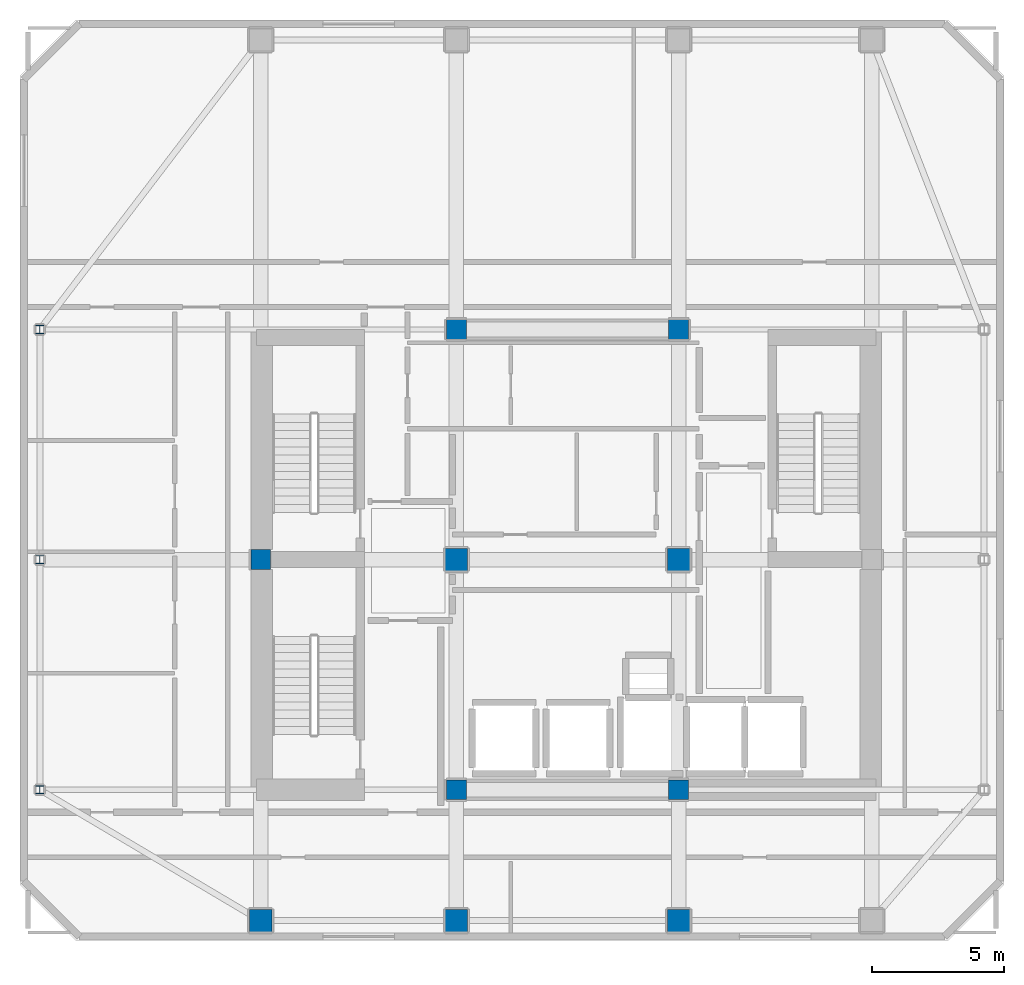
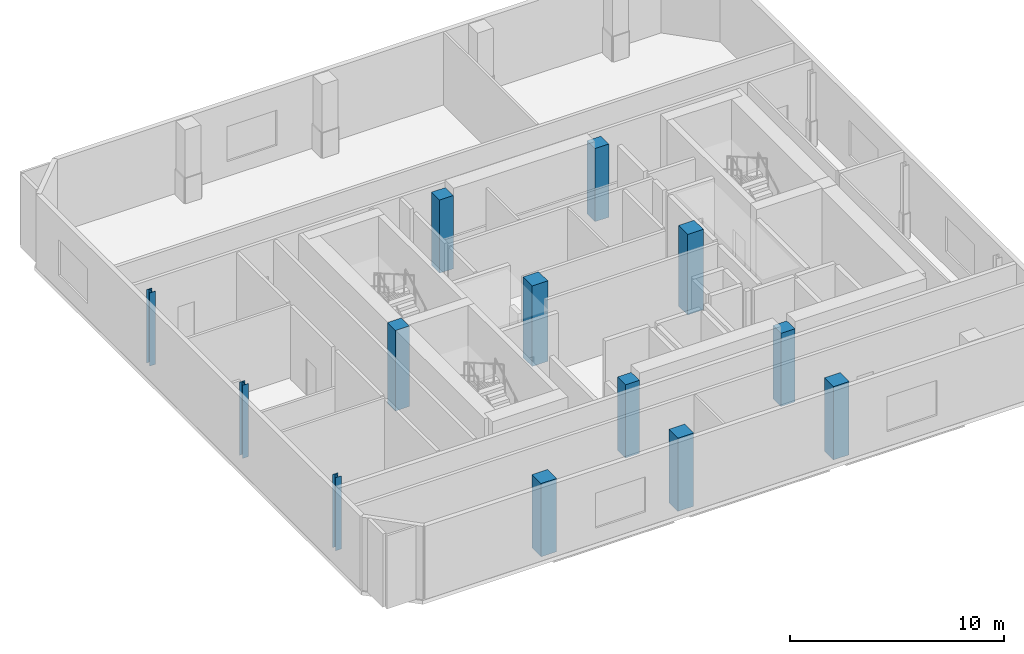
# One storey, part 1 of 9: 13 columns.
"""IFC4 building model written with IfcOpenShell, lengths in metres."""

from ifc_helpers import new_model, si_unit, direction, frame, origin, origin_2d, place, context, subcontext, project, spatial, rectangle, i_section, extrude, material, material_profile, profile_set, type_object, element, save


model = new_model("IFC4")

# Units and contexts
model_context = context("Model", 3, precision=1e-05, world=origin(), true_north=direction((0.0, 1.0)))
body_context = subcontext(model_context, "Body", "Model", "MODEL_VIEW")
ifc_project = project(units=[si_unit("LENGTHUNIT", "METRE"), si_unit("AREAUNIT", "SQUARE_METRE"), si_unit("VOLUMEUNIT", "CUBIC_METRE"), si_unit("PLANEANGLEUNIT", "RADIAN"), si_unit("MASSUNIT", "GRAM", prefix="KILO")], contexts=[model_context])

# Site, building, storey
site_placement = place(None, origin())
site = spatial("IfcSite", under=ifc_project, at=site_placement, CompositionType="ELEMENT")
building_placement = place(site_placement, origin())
building = spatial("IfcBuilding", under=site, at=building_placement, Name="Solanera Arch Residences", CompositionType="ELEMENT")
storey_placement = place(building_placement, frame((0.0, 0.0, 273.47998046875)))
storey = spatial("IfcBuildingStorey", under=building, at=storey_placement, Name="L79", CompositionType="ELEMENT", Elevation=273.47998046875)

# Columns
ifc_material_1 = material(Name="Concrete C40/50 (f'c = 45 MPa)", Category="concrete")
ifc_material_profile_1 = material_profile(ifc_material_1, rectangle(XDim=0.75, YDim=0.75, at=origin_2d()))
ifc_profile_set_1 = profile_set([ifc_material_profile_1], Name="Concrete C40/50 (f'c = 45 MPa)")
column_type_1 = type_object("IfcColumnType", Name="Structural Column RC-COL-750X750", PredefinedType="COLUMN", material=ifc_profile_set_1)
for number, where, z_axis, x_axis, name in (
    (1, (20.800048828125, 22.0, 0.0), (0.0, 0.0, 1.0), (1.0, 0.0, 0.0), "COL-L79-CB-SW"),
    (2, (29.199951171875, 22.0, 0.0), (0.0, 0.0, 1.0), (1.0, 0.0, 0.0), "COL-L79-CB-SE"),
    (3, (20.800048828125, 39.39990234375, 0.0), (0.0, 0.0, 1.0), (1.0, 0.0, 0.0), "COL-L79-CB-NW"),
    (4, (29.199951171875, 39.39990234375, 0.0), (0.0, 0.0, 1.0), (1.0, 0.0, 0.0), "COL-L79-CB-NE"),
):
    element("IfcColumn", number, at=place(storey_placement, frame(where, z_axis=z_axis, x_axis=x_axis)), inside=storey, type_object=column_type_1, Name=name, PredefinedType="COLUMN", context=body_context, shape_type="SweptSolid", body=[
        extrude(rectangle(XDim=0.75, YDim=0.75, at=origin_2d()), origin(), (0.0, 0.0, 1.0), 4.179931640625),
    ])
column_placement = place(storey_placement, frame((13.39990234375, 30.699951171875, 0.0), z_axis=(0.0, 0.0, 1.0), x_axis=(1.0, 0.0, 0.0)))
element("IfcColumn", 5, at=column_placement, inside=storey, type_object=column_type_1, Name="COL-L79-CB-WW", PredefinedType="COLUMN", context=body_context, shape_type="SweptSolid", body=[
    extrude(rectangle(XDim=0.75, YDim=0.75, at=origin_2d()), origin(), (0.0, 0.0, 1.0), 4.60009765625),
])
ifc_material_2 = material(Name="Concrete C40/50 (f'c = 45 MPa)", Category="concrete")
ifc_material_profile_2 = material_profile(ifc_material_2, rectangle(XDim=0.85009765625, YDim=0.85009765625, at=origin_2d()))
ifc_profile_set_2 = profile_set([ifc_material_profile_2], Name="Concrete C40/50 (f'c = 45 MPa)")
column_type_2 = type_object("IfcColumnType", Name="Structural Column RC-COL-850X850", PredefinedType="COLUMN", material=ifc_profile_set_2)
for number, where, z_axis, x_axis, name in (
    (6, (20.800048828125, 30.699951171875, 0.0), (0.0, 0.0, 1.0), (1.0, 0.0, 0.0), "COL-L79-CORE-W"),
    (7, (29.199951171875, 30.699951171875, 0.0), (0.0, 0.0, 1.0), (1.0, 0.0, 0.0), "COL-L79-CORE-E"),
):
    element("IfcColumn", number, at=place(storey_placement, frame(where, z_axis=z_axis, x_axis=x_axis)), inside=storey, type_object=column_type_2, Name=name, PredefinedType="COLUMN", context=body_context, shape_type="SweptSolid", body=[
        extrude(rectangle(XDim=0.85009765625, YDim=0.85009765625, at=origin_2d()), origin(), (0.0, 0.0, 1.0), 4.60009765625),
    ])
for number, where, z_axis, x_axis, name in (
    (8, (13.39990234375, 17.050048828125, 0.0), (0.0, 0.0, 1.0), (1.0, 0.0, 0.0), "COL-L79-TWR-01"),
    (9, (20.800048828125, 17.050048828125, 0.0), (0.0, 0.0, 1.0), (1.0, 0.0, 0.0), "COL-L79-TWR-03"),
    (10, (29.199951171875, 17.050048828125, 0.0), (0.0, 0.0, 1.0), (1.0, 0.0, 0.0), "COL-L79-TWR-05"),
):
    element("IfcColumn", number, at=place(storey_placement, frame(where, z_axis=z_axis, x_axis=x_axis)), inside=storey, type_object=column_type_2, Name=name, PredefinedType="COLUMN", context=body_context, shape_type="SweptSolid", body=[
        extrude(rectangle(XDim=0.85009765625, YDim=0.85009765625, at=origin_2d()), origin(), (0.0, 0.0, 1.0), 4.179931640625),
    ])
ifc_material_3 = material(Name="Steel S355 (ASTM A992 / A572 Grade 50)", Category="steel")
ifc_material_profile_3 = material_profile(ifc_material_3, i_section(OverallWidth=0.304931640625, OverallDepth=0.30810546875, WebThickness=0.010009765625, FlangeThickness=0.015380859375, at=origin_2d()))
ifc_profile_set_3 = profile_set([ifc_material_profile_3], Name="Steel S355 (ASTM A992 / A572 Grade 50)")
column_type_3 = type_object("IfcColumnType", Name="Structural Column W310X97", PredefinedType="COLUMN", material=ifc_profile_set_3)
for number, where, z_axis, x_axis, name in (
    (11, (5.050048828125, 22.0, 0.0), (0.0, 0.0, 1.0), (1.0, 0.0, 0.0), "COL-L79-TWR-09"),
    (12, (5.050048828125, 30.699951171875, 0.0), (0.0, 0.0, 1.0), (1.0, 0.0, 0.0), "COL-L79-TWR-11"),
    (13, (5.050048828125, 39.39990234375, 0.0), (0.0, 0.0, 1.0), (1.0, 0.0, 0.0), "COL-L79-TWR-13"),
):
    element("IfcColumn", number, at=place(storey_placement, frame(where, z_axis=z_axis, x_axis=x_axis)), inside=storey, type_object=column_type_3, Name=name, PredefinedType="COLUMN", context=body_context, shape_type="SweptSolid", body=[
        extrude(i_section(OverallWidth=0.304931640625, OverallDepth=0.30810546875, WebThickness=0.010009765625, FlangeThickness=0.015380859375, at=origin_2d()), origin(), (0.0, 0.0, 1.0), 4.179931640625),
    ])

save(model, "model.ifc")
